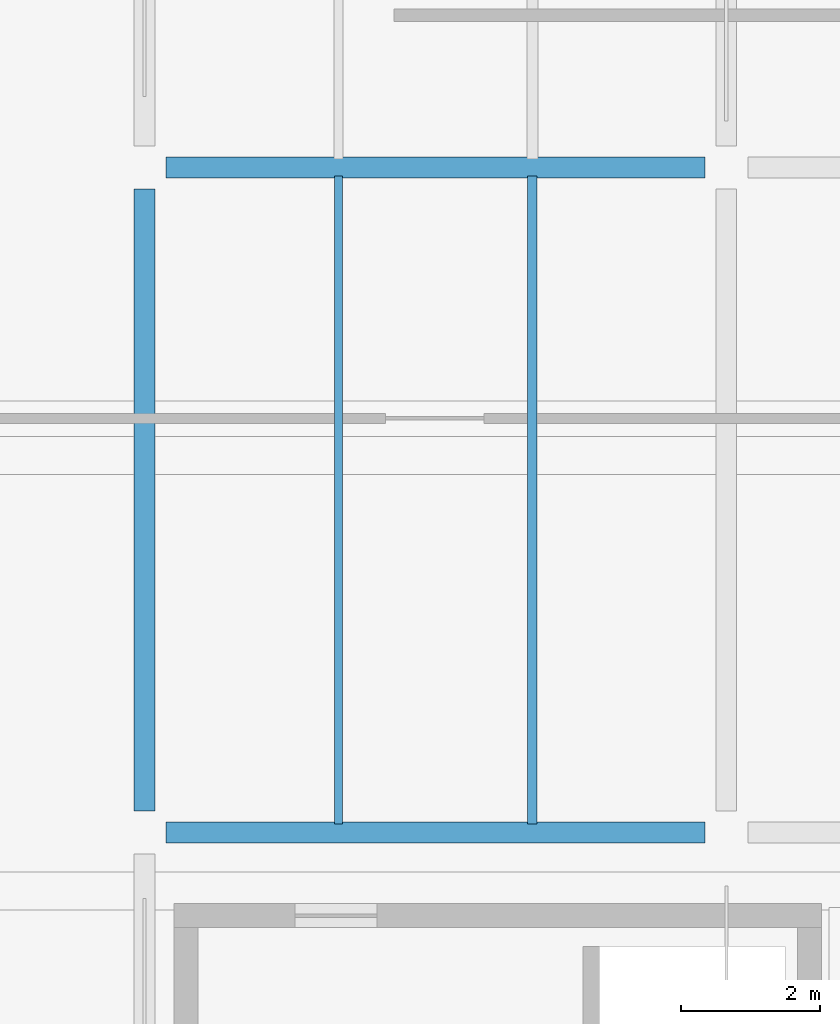
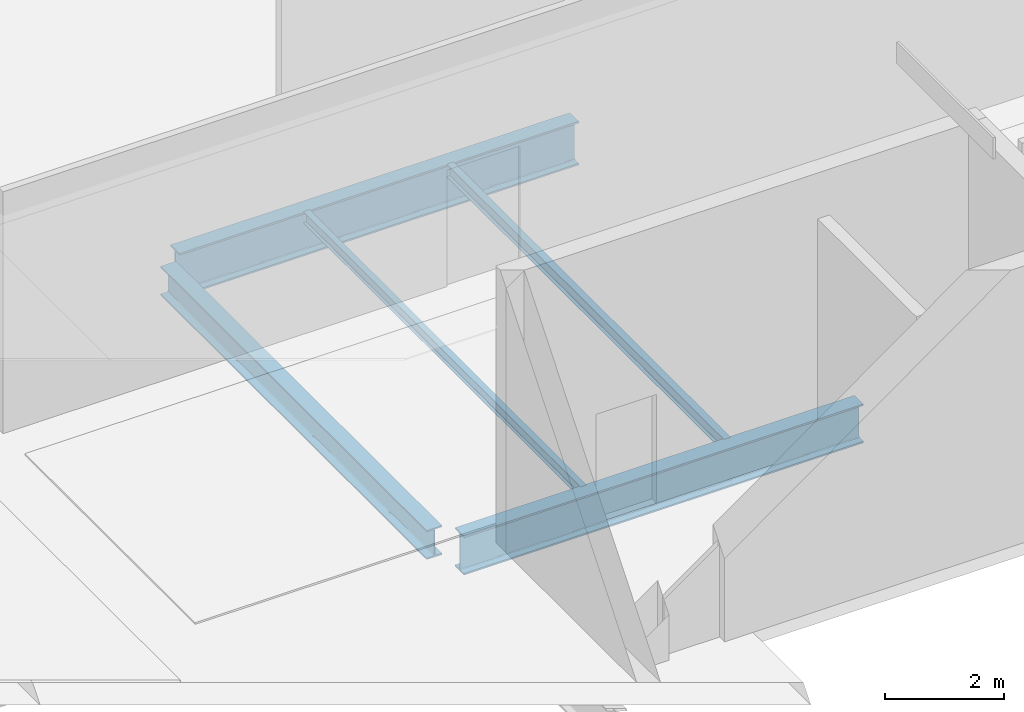
# One storey, part 6 of 49: 5 beams.
"""IFC4 building model written with IfcOpenShell, lengths in metres."""

import ifcopenshell
import ifcopenshell.guid

model = None  # the IFC model being written
_history = None  # IfcOwnerHistory: only IFC2X3 demands one
_inside = {}  # id of a spatial element -> (the spatial element, [elements in it])
_under = {}  # id of a project, library or spatial element -> (it, [spatial elements below it])
_declared = {}  # id of a project -> (the project, [libraries it declares])
_typed = {}  # id of a type object -> (the type object, [elements of that type])
_made_of = {}  # id of a material, layer set ... -> (it, [elements and type objects made of it])


def new_model(schema):
    """Start an empty IFC model of exactly this schema.

    Asked for "IFC4X3", IfcOpenShell would pick the latest addendum, in which some entities
    have other attributes; the version numbers below select the first issue.
    IFC2X3 requires an IfcOwnerHistory on every rooted entity: one is made here for all.
    """
    global model, _history
    if schema == "IFC4X3":
        model = ifcopenshell.file(schema_version=(4, 3, 0, 0))
    else:
        model = ifcopenshell.file(schema=schema)
    _inside.clear()
    _under.clear()
    _declared.clear()
    _typed.clear()
    _made_of.clear()
    _history = None
    if model.schema == "IFC2X3":
        org = make("IfcOrganization", Name="unknown")
        user = make(
            "IfcPersonAndOrganization",
            ThePerson=make("IfcPerson", FamilyName="unknown"),
            TheOrganization=org,
        )
        app = make(
            "IfcApplication",
            ApplicationDeveloper=org,
            Version="unknown",
            ApplicationFullName="unknown",
            ApplicationIdentifier="unknown",
        )
        _history = make(
            "IfcOwnerHistory",
            OwningUser=user,
            OwningApplication=app,
            ChangeAction="ADDED",
            CreationDate=0,
        )
    return model


def make(cls, **values):
    """One entity of the class cls with the attributes given. An attribute that is None is left unset."""
    return model.create_entity(
        cls, **{name: value for name, value in values.items() if value is not None}
    )


def rooted(cls, **values):
    """An entity with a GlobalId (a new one), such as an element, a storey or a relation."""
    return make(cls, GlobalId=ifcopenshell.guid.new(), OwnerHistory=_history, **values)


def si_unit(unit_type, name, prefix=None):
    """IfcSIUnit, for example si_unit("LENGTHUNIT", "METRE", prefix="MILLI")."""
    return make("IfcSIUnit", UnitType=unit_type, Prefix=prefix, Name=name)


def assignment(units):
    """IfcUnitAssignment: the units of a project."""
    return None if units is None else make("IfcUnitAssignment", Units=units)


def point(xyz):
    """IfcCartesianPoint."""
    return None if xyz is None else make("IfcCartesianPoint", Coordinates=xyz)


def direction(xyz):
    """IfcDirection."""
    return None if xyz is None else make("IfcDirection", DirectionRatios=xyz)


def frame(location, z_axis=None, x_axis=None):
    """IfcAxis2Placement3D, a coordinate frame: its origin and axes. An axis left out is left unset."""
    return make(
        "IfcAxis2Placement3D",
        Location=point(location),
        Axis=direction(z_axis),
        RefDirection=direction(x_axis),
    )


def frame_2d(location, x_axis=None):
    """IfcAxis2Placement2D, a coordinate frame in the plane: its origin and x axis."""
    return make(
        "IfcAxis2Placement2D", Location=point(location), RefDirection=direction(x_axis)
    )


def origin():
    """The frame at (0, 0, 0) with its axes left unset."""
    return frame((0.0, 0.0, 0.0))


def origin_2d():
    """The frame at (0, 0) in the plane with its x axis left unset."""
    return frame_2d((0.0, 0.0))


def place(relative_to, where):
    """IfcLocalPlacement: puts the frame where relative to a parent placement (None: the world)."""
    return make(
        "IfcLocalPlacement", PlacementRelTo=relative_to, RelativePlacement=where
    )


def context(
    kind, dimensions, precision=None, world=None, true_north=None, identifier=None
):
    """IfcGeometricRepresentationContext, for example the 3D "Model" context."""
    return make(
        "IfcGeometricRepresentationContext",
        ContextIdentifier=identifier,
        ContextType=kind,
        CoordinateSpaceDimension=dimensions,
        Precision=precision,
        WorldCoordinateSystem=world,
        TrueNorth=true_north,
    )


def subcontext(parent, identifier, kind, view, scale=None):
    """IfcGeometricRepresentationSubContext, for example "Body" below "Model"."""
    return make(
        "IfcGeometricRepresentationSubContext",
        ContextIdentifier=identifier,
        ContextType=kind,
        ParentContext=parent,
        TargetScale=scale,
        TargetView=view,
    )


def project(units=None, contexts=None):
    """IfcProject with its units and contexts."""
    return rooted(
        "IfcProject",
        Name="project",
        RepresentationContexts=contexts,
        UnitsInContext=assignment(units),
    )


def spatial(cls, under=None, at=None, **own):
    """A site, building, storey or space (cls), placed at a placement, below another one or the project."""
    s = rooted(cls, ObjectPlacement=at, **own)
    if under is not None:
        _under.setdefault(under.id(), (under, []))[1].append(s)
    return s


def profile(cls, at=None, kind="AREA", **sizes):
    """A parametric profile (cls). Its sizes go by their IFC names, for example OverallWidth=200.0."""
    return make(cls, ProfileType=kind, Position=at, **sizes)


def i_section(**sizes):
    """IfcIShapeProfileDef."""
    return profile("IfcIShapeProfileDef", **sizes)


def extrude(swept, where, along, depth):
    """IfcExtrudedAreaSolid: the profile swept, set in the frame where, extruded along a direction by depth."""
    return make(
        "IfcExtrudedAreaSolid",
        SweptArea=swept,
        Position=where,
        ExtrudedDirection=direction(along),
        Depth=depth,
    )


def shape(context_of_items, identifier, shape_type, items):
    """IfcShapeRepresentation: the items that make up one representation, for example the "Body"."""
    return make(
        "IfcShapeRepresentation",
        ContextOfItems=context_of_items,
        RepresentationIdentifier=identifier,
        RepresentationType=shape_type,
        Items=items,
    )


def material(Name=None, Category=None):
    """IfcMaterial."""
    return make("IfcMaterial", Name=Name, Category=Category)


def material_profile(
    of_material, cross_section, Name=None, Category=None, Priority=None
):
    """IfcMaterialProfile: a cross section and its material."""
    return make(
        "IfcMaterialProfile",
        Name=Name,
        Material=of_material,
        Profile=cross_section,
        Priority=Priority,
        Category=Category,
    )


def profile_set(profiles, Name=None, composite=None):
    """IfcMaterialProfileSet."""
    return make(
        "IfcMaterialProfileSet",
        Name=Name,
        MaterialProfiles=profiles,
        CompositeProfile=composite,
    )


def made_of(thing, what):
    """Note that an element or type object is made of a material, layer set ...; save() writes the relation."""
    if what is not None:
        _made_of.setdefault(what.id(), (what, []))[1].append(thing)
    return thing


def type_object(cls, material=None, **own):
    """A type object (cls), such as IfcWallType, which elements share."""
    return made_of(rooted(cls, **own), material)


def element(
    cls,
    number,
    at=None,
    inside=None,
    cuts=None,
    type_object=None,
    material=None,
    context=None,
    identifier="Body",
    shape_type=None,
    held_by="IfcProductDefinitionShape",
    body=None,
    shapes=None,
    **own,
):
    """One element of the class cls, such as IfcWall. Its Tag is "e" and its number.

    at: its placement. inside: the storey or other place that contains it. cuts: it is an
    opening in that element (IfcRelVoidsElement). A single representation is given by context,
    identifier, shape_type and body (its items); several are given by shapes. held_by: the class
    of the entity that holds the representations. save() writes the other relations.
    """
    e = rooted(cls, Tag="e%d" % number, ObjectPlacement=at, **own)
    if body is not None:
        shapes = [shape(context, identifier, shape_type, body)]
    if shapes is not None:
        e.Representation = make(held_by, Representations=shapes)
    if inside is not None:
        _inside.setdefault(inside.id(), (inside, []))[1].append(e)
    if cuts is not None:
        rooted(
            "IfcRelVoidsElement", RelatingBuildingElement=cuts, RelatedOpeningElement=e
        )
    if type_object is not None:
        _typed.setdefault(type_object.id(), (type_object, []))[1].append(e)
    return made_of(e, material)


def aggregate(whole, parts):
    """IfcRelAggregates: a whole, such as a stair, and the parts it consists of."""
    return rooted("IfcRelAggregates", RelatingObject=whole, RelatedObjects=parts)


def save(model, path):
    """Write the relations noted so far, then the file.

    IfcRelAggregates (storeys below a building ...), IfcRelContainedInSpatialStructure (elements
    in a storey), IfcRelDefinesByType, IfcRelAssociatesMaterial and IfcRelDeclares: one each for
    every whole, place, type object, material and project.
    """
    for whole, parts in _under.values():
        aggregate(whole, parts)
    for where, things in _inside.values():
        rooted(
            "IfcRelContainedInSpatialStructure",
            RelatedElements=things,
            RelatingStructure=where,
        )
    for kind, things in _typed.values():
        rooted("IfcRelDefinesByType", RelatedObjects=things, RelatingType=kind)
    for what, things in _made_of.values():
        rooted("IfcRelAssociatesMaterial", RelatedObjects=things, RelatingMaterial=what)
    for by, libraries in _declared.values():
        rooted("IfcRelDeclares", RelatingContext=by, RelatedDefinitions=libraries)
    model.write(path)


model = new_model("IFC4")

# Units and contexts
model_context = context("Model", 3, precision=1e-05, world=origin(), true_north=direction((0.0, 1.0)))
body_context = subcontext(model_context, "Body", "Model", "MODEL_VIEW")
ifc_project = project(units=[si_unit("LENGTHUNIT", "METRE"), si_unit("AREAUNIT", "SQUARE_METRE"), si_unit("VOLUMEUNIT", "CUBIC_METRE"), si_unit("PLANEANGLEUNIT", "RADIAN"), si_unit("MASSUNIT", "GRAM", prefix="KILO")], contexts=[model_context])

# Site, building, storey
site_placement = place(None, origin())
site = spatial("IfcSite", under=ifc_project, at=site_placement, CompositionType="ELEMENT")
building_placement = place(site_placement, origin())
building = spatial("IfcBuilding", under=site, at=building_placement, Name="Zulmaris Art Gallery", CompositionType="ELEMENT")
storey_placement = place(building_placement, frame((0.0, 0.0, 20.699951171875)))
storey = spatial("IfcBuildingStorey", under=building, at=storey_placement, Name="L04", CompositionType="ELEMENT", Elevation=20.699951171875)

# Beams
ifc_material = material(Name="Steel S355J2", Category="steel")
ifc_material_profile_1 = material_profile(ifc_material, i_section(OverallWidth=0.300048828125, OverallDepth=0.60009765625, WebThickness=0.015380859375, FlangeThickness=0.030029296875, FilletRadius=0.027099609375, at=origin_2d()), Name="HEB 600")
ifc_profile_set_1 = profile_set([ifc_material_profile_1], Name="Steel S355J2")
beam_type_1 = type_object("IfcBeamType", Name="BEAM-BM15", PredefinedType="BEAM", material=ifc_profile_set_1)
beam_1_placement = place(storey_placement, frame((32.39990234375, 31.510009765625, -0.659912109375), z_axis=(0.0, 1.0, 0.0), x_axis=(-1.0, 0.0, 0.0)))
element("IfcBeam", 1, at=beam_1_placement, inside=storey, type_object=beam_type_1, Name="L04 Y-girder (x=32.4, 31.2..40.8)", PredefinedType="BEAM", context=body_context, shape_type="SweptSolid", body=[
    extrude(i_section(OverallWidth=0.300048828125, OverallDepth=0.60009765625, WebThickness=0.015380859375, FlangeThickness=0.030029296875, FilletRadius=0.027099609375, at=origin_2d()), origin(), (0.0, 0.0, 1.0), 8.97998046875),
])
ifc_material_profile_2 = material_profile(ifc_material, i_section(OverallWidth=0.300048828125, OverallDepth=0.800048828125, WebThickness=0.017578125, FlangeThickness=0.032958984375, FilletRadius=0.030029296875, at=origin_2d()), Name="HEB 800")
ifc_profile_set_2 = profile_set([ifc_material_profile_2], Name="Steel S355J2")
beam_type_2 = type_object("IfcBeamType", Name="BEAM-BM17", PredefinedType="BEAM", material=ifc_profile_set_2)
beam_2_placement = place(storey_placement, frame((32.7099609375, 31.199951171875, -0.760009765625), z_axis=(1.0, 0.0, 0.0), x_axis=(0.0, 1.0, 0.0)))
element("IfcBeam", 2, at=beam_2_placement, inside=storey, type_object=beam_type_2, Name="L04 X-girder (32.4..40.8, y=31.2)", PredefinedType="BEAM", context=body_context, shape_type="SweptSolid", body=[
    extrude(i_section(OverallWidth=0.300048828125, OverallDepth=0.800048828125, WebThickness=0.017578125, FlangeThickness=0.032958984375, FilletRadius=0.030029296875, at=origin_2d()), origin(), (0.0, 0.0, 1.0), 7.780029296875),
])
ifc_material_profile_3 = material_profile(ifc_material, i_section(OverallWidth=0.300048828125, OverallDepth=0.89990234375, WebThickness=0.0185546875, FlangeThickness=0.034912109375, FilletRadius=0.030029296875, at=origin_2d()), Name="HEB 900")
ifc_profile_set_3 = profile_set([ifc_material_profile_3], Name="Steel S355J2")
beam_type_3 = type_object("IfcBeamType", Name="BEAM-BM18", PredefinedType="BEAM", material=ifc_profile_set_3)
beam_3_placement = place(storey_placement, frame((32.7099609375, 40.800048828125, -0.81005859375), z_axis=(1.0, 0.0, 0.0), x_axis=(0.0, 1.0, 0.0)))
element("IfcBeam", 3, at=beam_3_placement, inside=storey, type_object=beam_type_3, Name="L04 X-girder (32.4..40.8, y=40.8)", PredefinedType="BEAM", context=body_context, shape_type="SweptSolid", body=[
    extrude(i_section(OverallWidth=0.300048828125, OverallDepth=0.89990234375, WebThickness=0.0185546875, FlangeThickness=0.034912109375, FilletRadius=0.030029296875, at=origin_2d()), origin(), (0.0, 0.0, 1.0), 7.780029296875),
])
ifc_material_profile_4 = material_profile(ifc_material, i_section(OverallWidth=0.1201171875, OverallDepth=0.239990234375, WebThickness=0.006103515625, FlangeThickness=0.009765625, FilletRadius=0.014892578125, at=origin_2d()), Name="IPE 240")
ifc_profile_set_4 = profile_set([ifc_material_profile_4], Name="Steel S355J2")
beam_type_4 = type_object("IfcBeamType", Name="BEAM-JS01", PredefinedType="JOIST", material=ifc_profile_set_4)
beam_4_placement = place(storey_placement, frame((35.199951171875, 31.324951171875, -0.47998046875), z_axis=(0.0, 1.0, 0.0), x_axis=(-1.0, 0.0, 0.0)))
element("IfcBeam", 4, at=beam_4_placement, inside=storey, type_object=beam_type_4, Name="L04 secondary joist at x=35.2", PredefinedType="JOIST", context=body_context, shape_type="SweptSolid", body=[
    extrude(i_section(OverallWidth=0.1201171875, OverallDepth=0.239990234375, WebThickness=0.006103515625, FlangeThickness=0.009765625, FilletRadius=0.014892578125, at=origin_2d()), origin(), (0.0, 0.0, 1.0), 9.35009765625),
])
ifc_material_profile_5 = material_profile(ifc_material, i_section(OverallWidth=0.135009765625, OverallDepth=0.27001953125, WebThickness=0.006591796875, FlangeThickness=0.01025390625, FilletRadius=0.014892578125, at=origin_2d()), Name="IPE 270")
ifc_profile_set_5 = profile_set([ifc_material_profile_5], Name="Steel S355J2")
beam_type_5 = type_object("IfcBeamType", Name="BEAM-JS02", PredefinedType="JOIST", material=ifc_profile_set_5)
beam_5_placement = place(storey_placement, frame((38.0, 31.324951171875, -0.494873046875), z_axis=(0.0, 1.0, 0.0), x_axis=(-1.0, 0.0, 0.0)))
element("IfcBeam", 5, at=beam_5_placement, inside=storey, type_object=beam_type_5, Name="L04 secondary joist at x=38.0", PredefinedType="JOIST", context=body_context, shape_type="SweptSolid", body=[
    extrude(i_section(OverallWidth=0.135009765625, OverallDepth=0.27001953125, WebThickness=0.006591796875, FlangeThickness=0.01025390625, FilletRadius=0.014892578125, at=origin_2d()), origin(), (0.0, 0.0, 1.0), 9.35009765625),
])

save(model, "model.ifc")
